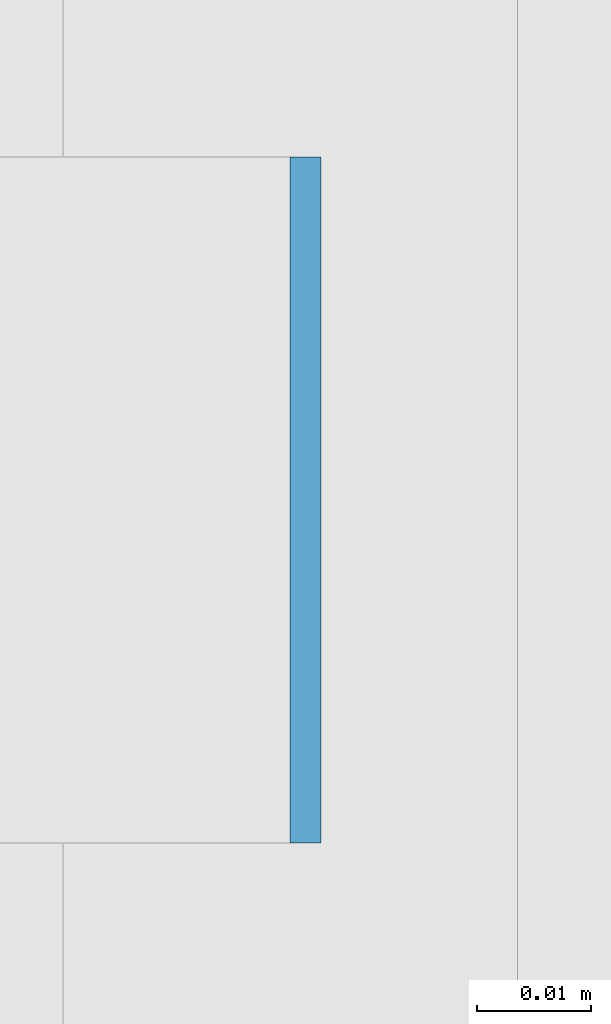
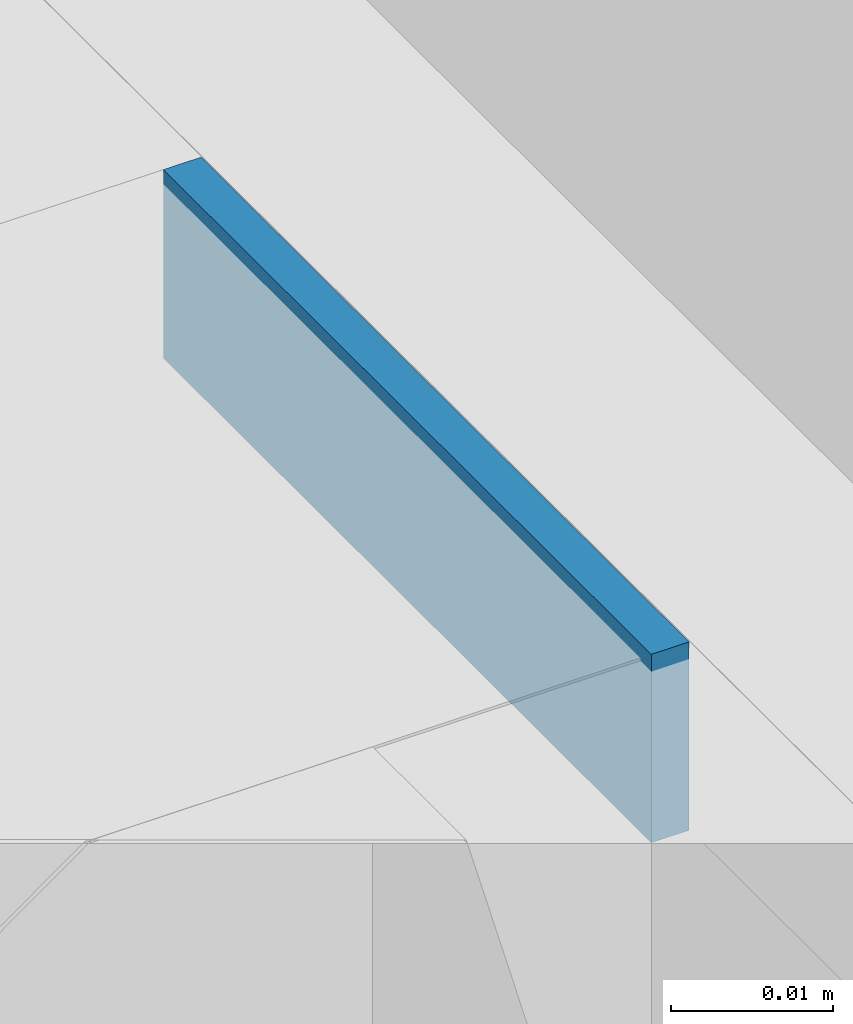
# One storey, part 273 of 646: 1 discrete accessory.
"""IFC4 building model written with IfcOpenShell, lengths in metres."""

from ifc_helpers import new_model, si_unit, direction, frame, origin, origin_2d, place, context, subcontext, project, spatial, rectangle, extrude, material, type_object, element, save


model = new_model("IFC4")

# Units and contexts
model_context = context("Model", 3, precision=1e-05, world=origin(), true_north=direction((0.0, 1.0)))
body_context = subcontext(model_context, "Body", "Model", "MODEL_VIEW")
ifc_project = project(units=[si_unit("LENGTHUNIT", "METRE"), si_unit("AREAUNIT", "SQUARE_METRE"), si_unit("VOLUMEUNIT", "CUBIC_METRE"), si_unit("PLANEANGLEUNIT", "RADIAN"), si_unit("MASSUNIT", "GRAM", prefix="KILO")], contexts=[model_context])

# Site, building, storey
site_placement = place(None, origin())
site = spatial("IfcSite", under=ifc_project, at=site_placement, CompositionType="ELEMENT")
building_placement = place(site_placement, origin())
building = spatial("IfcBuilding", under=site, at=building_placement, Name="Silverbay Arena", CompositionType="ELEMENT")
storey_placement = place(building_placement, frame((0.0, 0.0, 33.5)))
storey = spatial("IfcBuildingStorey", under=building, at=storey_placement, Name="L05", CompositionType="ELEMENT", Elevation=33.5)

# Discrete accessory
ifc_material = material(Name="Steel S355", Category="steel")
discrete_accessory_type = type_object("IfcDiscreteAccessoryType", Name="Steel bracket plate", PredefinedType="BRACKET", material=ifc_material)
discrete_accessory_placement = place(storey_placement, frame((53.871337890625, 47.571533203125, 12.98583984375), z_axis=(0.0, 0.0, 1.0), x_axis=(1.0, 0.0, 0.0)))
element("IfcDiscreteAccessory", 1, at=discrete_accessory_placement, inside=storey, type_object=discrete_accessory_type, Name="Curtain wall packing plate", PredefinedType="BRACKET", context=body_context, shape_type="SweptSolid", body=[
    extrude(rectangle(XDim=0.002685546875, YDim=0.06005859375, at=origin_2d()), origin(), (0.0, 0.0, 1.0), 0.01416015625),
])

save(model, "model.ifc")
